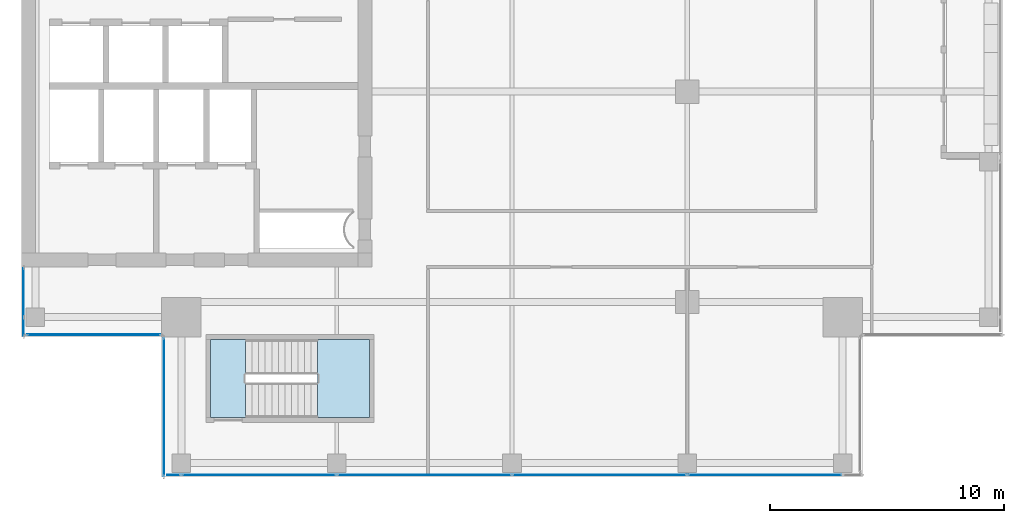
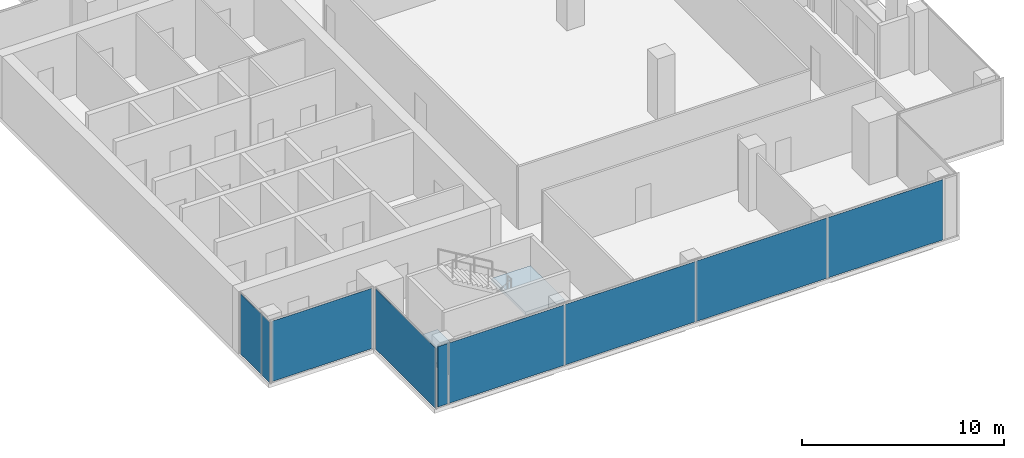
# One storey, part 20 of 29: 9 plates, 2 slabs, 5 elements without a shape of their own.
"""IFC4 building model written with IfcOpenShell, lengths in metres."""

from ifc_helpers import new_model, si_unit, direction, frame, origin, origin_2d, place, context, subcontext, project, spatial, polyline, rectangle, outline, extrude, source, transform, mapped, material, layer, layer_set, type_object, element, aggregate, save


model = new_model("IFC4")

# Units and contexts
model_context = context("Model", 3, precision=1e-05, world=origin(), true_north=direction((0.0, 1.0)))
body_context = subcontext(model_context, "Body", "Model", "MODEL_VIEW")
ifc_project = project(units=[si_unit("LENGTHUNIT", "METRE"), si_unit("AREAUNIT", "SQUARE_METRE"), si_unit("VOLUMEUNIT", "CUBIC_METRE"), si_unit("PLANEANGLEUNIT", "RADIAN"), si_unit("MASSUNIT", "GRAM", prefix="KILO")], contexts=[model_context])

# Site, building, storey
site_placement = place(None, origin())
site = spatial("IfcSite", under=ifc_project, at=site_placement, CompositionType="ELEMENT")
building_placement = place(site_placement, origin())
building = spatial("IfcBuilding", under=site, at=building_placement, Name="Khomas Fold Tower", CompositionType="ELEMENT")
storey_placement = place(building_placement, frame((0.0, 0.0, 322.199951171875)))
storey = spatial("IfcBuildingStorey", under=building, at=storey_placement, Name="L73", CompositionType="ELEMENT", Elevation=322.199951171875)

# Curtain wall, plates
ifc_material_1 = material(Name="Aluminium framed double glazing", Category="aluminium")
curtain_wall_type = type_object("IfcCurtainWallType", Name="SK-Unitised clear-glass wall, upper floors CW3", PredefinedType="NOTDEFINED", material=ifc_material_1)
curtain_wall_1_placement = place(storey_placement, origin())
curtain_wall_1 = element("IfcCurtainWall", 1, at=curtain_wall_1_placement, inside=storey, type_object=curtain_wall_type, Name="CW3 run L73 00-0", PredefinedType="NOTDEFINED")
ifc_material_2 = material(Name="Clear double glazed unit")
ifc_layer_1 = layer(ifc_material_2, 0.028076171875)
ifc_layer_set_1 = layer_set([ifc_layer_1], Name="Clear double glazed unit")
plate_type = type_object("IfcPlateType", Name="SK-Unitised clear-glass wall, upper floors glass panel CW3-P", PredefinedType="CURTAIN_PANEL", material=ifc_layer_set_1)
shared_shape_1 = source(origin(), body_context, "Body", "SweptSolid", [
    extrude(rectangle(XDim=0.574951171875, YDim=0.028076171875, at=origin_2d()), origin(), (0.0, 0.0, 1.0), 3.64990234375),
])
plate_1_placement = place(storey_placement, frame((12.53759765625, 6.10009765625, 0.0), z_axis=(0.0, 0.0, 1.0), x_axis=(1.0, 0.0, 0.0)))
plate_1 = element("IfcPlate", 2, at=plate_1_placement, type_object=plate_type, Name="CW3 glass panel 1", PredefinedType="CURTAIN_PANEL", context=body_context, shape_type="MappedRepresentation", body=[
    mapped(shared_shape_1, transform((0.0, 0.0, 0.0))),
])
shared_shape_2 = source(origin(), body_context, "Body", "SweptSolid", [
    extrude(rectangle(XDim=6.60009765625, YDim=0.028076171875, at=origin_2d()), origin(), (0.0, 0.0, 1.0), 3.64990234375),
])
plate_2_placement = place(storey_placement, frame((16.175048828125, 6.10009765625, 0.0), z_axis=(0.0, 0.0, 1.0), x_axis=(1.0, 0.0, 0.0)))
plate_2 = element("IfcPlate", 3, at=plate_2_placement, type_object=plate_type, Name="CW3 glass panel 2", PredefinedType="CURTAIN_PANEL", context=body_context, shape_type="MappedRepresentation", body=[
    mapped(shared_shape_2, transform((0.0, 0.0, 0.0))),
])
plate_3_placement = place(storey_placement, frame((37.824951171875, 6.10009765625, 0.0), z_axis=(0.0, 0.0, 1.0), x_axis=(1.0, 0.0, 0.0)))
plate_3 = element("IfcPlate", 4, at=plate_3_placement, type_object=plate_type, Name="CW3 glass panel 5", PredefinedType="CURTAIN_PANEL", context=body_context, shape_type="MappedRepresentation", body=[
    mapped(shared_shape_2, transform((0.0, 0.0, 0.0))),
])
shared_shape_3 = source(origin(), body_context, "Body", "SweptSolid", [
    extrude(rectangle(XDim=7.449951171875, YDim=0.028076171875, at=origin_2d()), origin(), (0.0, 0.0, 1.0), 3.64990234375),
])
plate_4_placement = place(storey_placement, frame((23.25, 6.10009765625, 0.0), z_axis=(0.0, 0.0, 1.0), x_axis=(1.0, 0.0, 0.0)))
plate_4 = element("IfcPlate", 5, at=plate_4_placement, type_object=plate_type, Name="CW3 glass panel 3", PredefinedType="CURTAIN_PANEL", context=body_context, shape_type="MappedRepresentation", body=[
    mapped(shared_shape_3, transform((0.0, 0.0, 0.0))),
])
plate_5_placement = place(storey_placement, frame((30.75, 6.10009765625, 0.0), z_axis=(0.0, 0.0, 1.0), x_axis=(1.0, 0.0, 0.0)))
plate_5 = element("IfcPlate", 6, at=plate_5_placement, type_object=plate_type, Name="CW3 glass panel 4", PredefinedType="CURTAIN_PANEL", context=body_context, shape_type="MappedRepresentation", body=[
    mapped(shared_shape_3, transform((0.0, 0.0, 0.0))),
])
aggregate(curtain_wall_1, [plate_1, plate_2, plate_4, plate_5, plate_3])

# Curtain wall, plate
curtain_wall_2_placement = place(storey_placement, origin())
curtain_wall_2 = element("IfcCurtainWall", 7, at=curtain_wall_2_placement, inside=storey, type_object=curtain_wall_type, Name="CW3 run L73 09-1", PredefinedType="NOTDEFINED")
shared_shape_4 = source(origin(), body_context, "Body", "SweptSolid", [
    extrude(rectangle(XDim=0.77490234375, YDim=0.028076171875, at=origin_2d()), origin(), (0.0, 0.0, 1.0), 3.64990234375),
])
plate_6_placement = place(storey_placement, frame((6.10009765625, 12.4375, 0.0), z_axis=(0.0, 0.0, 1.0), x_axis=(0.0, -1.0, 0.0)))
plate_6 = element("IfcPlate", 8, at=plate_6_placement, type_object=plate_type, Name="CW3 glass panel 2", PredefinedType="CURTAIN_PANEL", context=body_context, shape_type="MappedRepresentation", body=[
    mapped(shared_shape_4, transform((0.0, 0.0, 0.0))),
])

curtain_wall_3_placement = place(storey_placement, origin())
curtain_wall_3 = element("IfcCurtainWall", 9, at=curtain_wall_3_placement, inside=storey, type_object=curtain_wall_type, Name="CW3 corner return L73 10", PredefinedType="NOTDEFINED")
shared_shape_5 = source(origin(), body_context, "Body", "SweptSolid", [
    extrude(rectangle(XDim=5.699951171875, YDim=0.028076171875, at=origin_2d()), origin(), (0.0, 0.0, 1.0), 3.64990234375),
])
plate_7_placement = place(storey_placement, frame((9.10009765625, 12.10009765625, 0.0), z_axis=(0.0, 0.0, 1.0), x_axis=(1.0, 0.0, 0.0)))
plate_7 = element("IfcPlate", 10, at=plate_7_placement, type_object=plate_type, Name="CW3 glass panel 1", PredefinedType="CURTAIN_PANEL", context=body_context, shape_type="MappedRepresentation", body=[
    mapped(shared_shape_5, transform((0.0, 0.0, 0.0))),
])
aggregate(curtain_wall_3, [plate_7])

curtain_wall_4_placement = place(storey_placement, origin())
curtain_wall_4 = element("IfcCurtainWall", 11, at=curtain_wall_4_placement, inside=storey, type_object=curtain_wall_type, Name="CW3 corner return L73 11", PredefinedType="NOTDEFINED")
shared_shape_6 = source(origin(), body_context, "Body", "SweptSolid", [
    extrude(rectangle(XDim=5.89990234375, YDim=0.028076171875, at=origin_2d()), origin(), (0.0, 0.0, 1.0), 3.64990234375),
])
plate_8_placement = place(storey_placement, frame((12.10009765625, 9.0, 0.0), z_axis=(0.0, 0.0, 1.0), x_axis=(0.0, -1.0, 0.0)))
plate_8 = element("IfcPlate", 12, at=plate_8_placement, type_object=plate_type, Name="CW3 glass panel 1", PredefinedType="CURTAIN_PANEL", context=body_context, shape_type="MappedRepresentation", body=[
    mapped(shared_shape_6, transform((0.0, 0.0, 0.0))),
])
aggregate(curtain_wall_4, [plate_8])

# Plate
shared_shape_7 = source(origin(), body_context, "Body", "SweptSolid", [
    extrude(rectangle(XDim=2.074951171875, YDim=0.028076171875, at=origin_2d()), origin(), (0.0, 0.0, 1.0), 3.64990234375),
])
plate_9_placement = place(storey_placement, frame((6.10009765625, 13.91259765625, 0.0), z_axis=(0.0, 0.0, 1.0), x_axis=(0.0, -1.0, 0.0)))
plate_9 = element("IfcPlate", 13, at=plate_9_placement, type_object=plate_type, Name="CW3 glass panel 1", PredefinedType="CURTAIN_PANEL", context=body_context, shape_type="MappedRepresentation", body=[
    mapped(shared_shape_7, transform((0.0, 0.0, 0.0))),
])

aggregate(curtain_wall_2, [plate_9, plate_6])

# Stair, slab
ifc_material_3 = material(Name="Concrete C40/50", Category="concrete")
stair_type = type_object("IfcStairType", Name="Stair ST2", PredefinedType="HALF_TURN_STAIR", material=ifc_material_3)
stair_placement = place(storey_placement, origin())
stair = element("IfcStair", 14, at=stair_placement, inside=storey, type_object=stair_type, Name="L73 ST2", PredefinedType="HALF_TURN_STAIR")
ifc_material_4 = material(Name="Concrete C40/50", Category="concrete")
ifc_layer_2 = layer(ifc_material_4, 0.199951171875)
ifc_layer_set_2 = layer_set([ifc_layer_2], Name="Concrete C40/50")
slab_type_1 = type_object("IfcSlabType", Name="Stair landing 200", PredefinedType="LANDING", material=ifc_layer_set_2)
shared_shape_8 = source(origin(), body_context, "Body", "SweptSolid", [
    extrude(outline(polyline([(18.679931640625, 8.550048828125), (20.89990234375, 8.550048828125), (20.89990234375, 11.89990234375), (18.679931640625, 11.89990234375), (18.679931640625, 8.550048828125)])), origin(), (0.0, 0.0, 1.0), 0.199951171875),
])
slab_1_placement = place(storey_placement, frame((0.0, 0.0, 1.800048828125)))
slab_1 = element("IfcSlab", 15, at=slab_1_placement, type_object=slab_type_1, Name="ST2 landing 1", PredefinedType="LANDING", context=body_context, shape_type="MappedRepresentation", body=[
    mapped(shared_shape_8, transform((0.0, 0.0, 0.0))),
])
aggregate(stair, [slab_1])

# Slab
ifc_material_5 = material(Name="Concrete C40/50", Category="concrete")
ifc_layer_3 = layer(ifc_material_5, 0.25)
ifc_layer_set_3 = layer_set([ifc_layer_3], Name="Concrete C40/50")
slab_type_2 = type_object("IfcSlabType", Name="Stair floor landing 250", PredefinedType="LANDING", material=ifc_layer_set_3)
shared_shape_9 = source(origin(), body_context, "Body", "SweptSolid", [
    extrude(outline(polyline([(15.60009765625, 8.550048828125), (14.10009765625, 8.550048828125), (14.10009765625, 11.89990234375), (15.60009765625, 11.89990234375), (15.60009765625, 8.550048828125)])), origin(), (0.0, 0.0, 1.0), 0.25),
])
slab_2_placement = place(storey_placement, frame((0.0, 0.0, -0.25)))
element("IfcSlab", 16, at=slab_2_placement, inside=storey, type_object=slab_type_2, Name="ST2 floor landing", PredefinedType="LANDING", context=body_context, shape_type="MappedRepresentation", body=[
    mapped(shared_shape_9, transform((0.0, 0.0, 0.0))),
])

save(model, "model.ifc")
